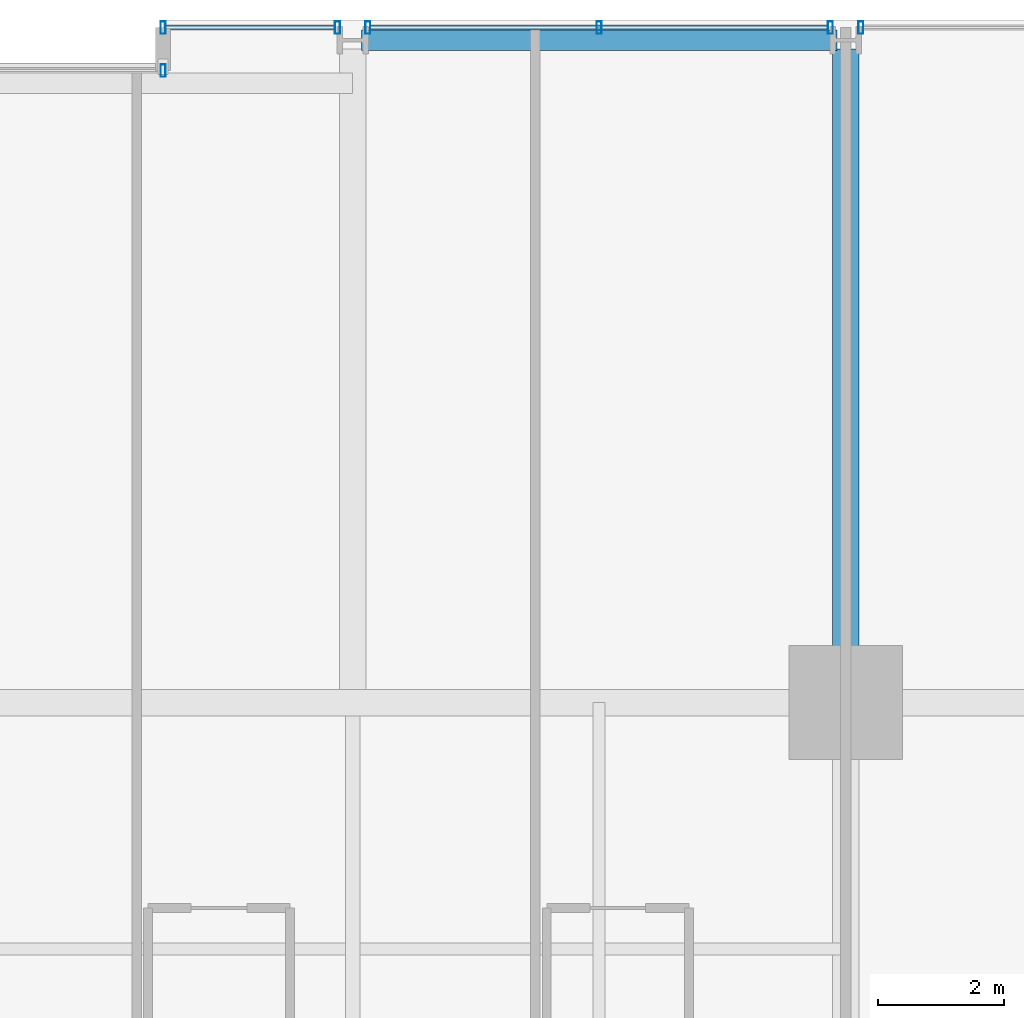
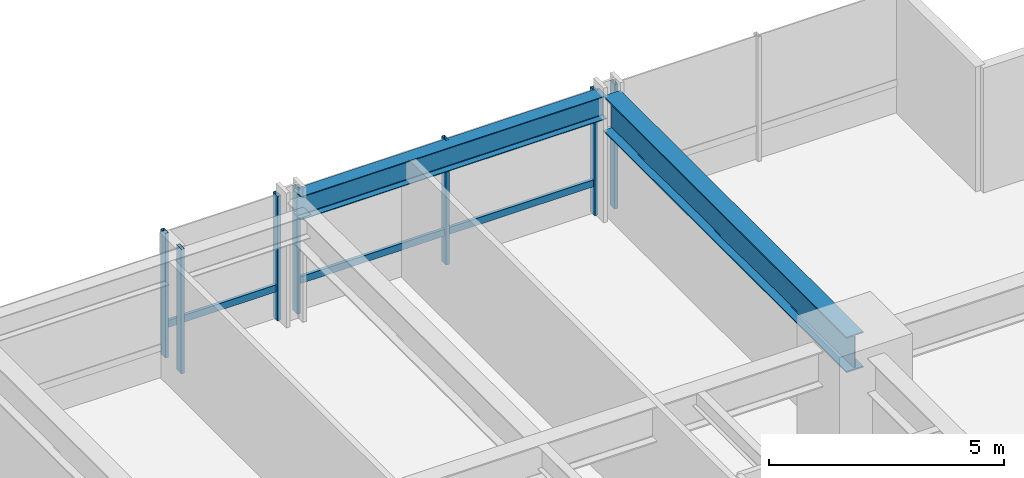
# One storey, part 27 of 39: 9 members, 2 beams, 4 elements without a shape of their own.
"""IFC4 building model written with IfcOpenShell, lengths in metres."""

from ifc_helpers import new_model, si_unit, direction, frame, origin, origin_2d, place, context, subcontext, project, spatial, hollow_rectangle, i_section, extrude, material, layer, layer_set, material_profile, profile_set, type_object, element, aggregate, save


model = new_model("IFC4")

# Units and contexts
model_context = context("Model", 3, precision=1e-05, world=origin(), true_north=direction((0.0, 1.0)))
body_context = subcontext(model_context, "Body", "Model", "MODEL_VIEW")
ifc_project = project(units=[si_unit("LENGTHUNIT", "METRE"), si_unit("AREAUNIT", "SQUARE_METRE"), si_unit("VOLUMEUNIT", "CUBIC_METRE"), si_unit("PLANEANGLEUNIT", "RADIAN"), si_unit("MASSUNIT", "GRAM", prefix="KILO")], contexts=[model_context])

# Site, building, storey
site_placement = place(None, origin())
site = spatial("IfcSite", under=ifc_project, at=site_placement, CompositionType="ELEMENT")
building_placement = place(site_placement, origin())
building = spatial("IfcBuilding", under=site, at=building_placement, Name="Drelvath Grand Hotel", CompositionType="ELEMENT")
storey_placement = place(building_placement, frame((0.0, 0.0, 36.699951171875)))
storey = spatial("IfcBuildingStorey", under=building, at=storey_placement, Name="L07", CompositionType="ELEMENT", Elevation=36.699951171875)

# Curtain wall, member
ifc_material_1 = material(Name="Warm Bronze Anodised Aluminium Frame", Category="aluminium")
ifc_layer = layer(ifc_material_1, 0.199951171875)
ifc_layer_set = layer_set([ifc_layer], Name="Warm Bronze Anodised Aluminium Frame")
curtain_wall_type = type_object("IfcCurtainWallType", Name="Stick Curtain Wall CW-02 Warm Bronze Low-Rise", PredefinedType="NOTDEFINED", material=ifc_layer_set)
curtain_wall_1_placement = place(storey_placement, origin())
curtain_wall_1 = element("IfcCurtainWall", 1, at=curtain_wall_1_placement, inside=storey, type_object=curtain_wall_type, Name="L07 CW-02 Curtain Wall CW02-L07-NE1", PredefinedType="NOTDEFINED")
ifc_material_profile_1 = material_profile(ifc_material_1, hollow_rectangle(XDim=0.074951171875, YDim=0.179931640625, WallThickness=0.0048828125, at=origin_2d()), Name="HSS180X75X5")
ifc_profile_set_1 = profile_set([ifc_material_profile_1], Name="Warm Bronze Anodised Aluminium Frame")
member_type_1 = type_object("IfcMemberType", Name="Curtain Wall Horizontal Transom CW-02 HSS180X75X5", PredefinedType="USERDEFINED", material=ifc_profile_set_1)
member_1_placement = place(storey_placement, frame((5.43994140625, 53.8798828125, 0.81005859375), z_axis=(1.0, 0.0, 0.0), x_axis=(0.0, 1.0, 0.0)))
member_1 = element("IfcMember", 2, at=member_1_placement, type_object=member_type_1, Name="CW02-L07-NE1 Sill Transom", ObjectType="TRANSOM", PredefinedType="USERDEFINED", context=body_context, shape_type="SweptSolid", body=[
    extrude(hollow_rectangle(XDim=0.074951171875, YDim=0.179931640625, WallThickness=0.0048828125, at=origin_2d()), origin(), (0.0, 0.0, 1.0), 2.67919921875),
])

curtain_wall_2_placement = place(storey_placement, origin())
curtain_wall_2 = element("IfcCurtainWall", 3, at=curtain_wall_2_placement, inside=storey, type_object=curtain_wall_type, Name="L07 CW-02 Curtain Wall CW02-L07-NE2", PredefinedType="NOTDEFINED")
member_2_placement = place(storey_placement, frame((8.680908203125, 53.8798828125, 0.81005859375), z_axis=(1.0, 0.0, 0.0), x_axis=(0.0, 1.0, 0.0)))
member_2 = element("IfcMember", 4, at=member_2_placement, type_object=member_type_1, Name="CW02-L07-NE2 Sill Transom", ObjectType="TRANSOM", PredefinedType="USERDEFINED", context=body_context, shape_type="SweptSolid", body=[
    extrude(hollow_rectangle(XDim=0.074951171875, YDim=0.179931640625, WallThickness=0.0048828125, at=origin_2d()), origin(), (0.0, 0.0, 1.0), 7.23828125),
])

curtain_wall_3_placement = place(storey_placement, origin())
curtain_wall_3 = element("IfcCurtainWall", 5, at=curtain_wall_3_placement, inside=storey, type_object=curtain_wall_type, Name="L07 CW-02 Curtain Wall CW02-L07-NM2", PredefinedType="NOTDEFINED")
ifc_material_profile_2 = material_profile(ifc_material_1, hollow_rectangle(XDim=0.080078125, YDim=0.199951171875, WallThickness=0.0048828125, at=origin_2d()), Name="HSS200X80X5")
ifc_profile_set_2 = profile_set([ifc_material_profile_2], Name="Warm Bronze Anodised Aluminium Frame")
member_type_2 = type_object("IfcMemberType", Name="Curtain Wall Vertical Mullion CW-02 HSS200X80X5", PredefinedType="MULLION", material=ifc_profile_set_2)
member_3_placement = place(storey_placement, frame((5.39990234375, 53.199951171875, 0.0), z_axis=(0.0, 0.0, 1.0), x_axis=(1.0, 0.0, 0.0)))
member_3 = element("IfcMember", 6, at=member_3_placement, type_object=member_type_2, Name="CW02-L07-NM2 Mullion 2", PredefinedType="MULLION", context=body_context, shape_type="SweptSolid", body=[
    extrude(hollow_rectangle(XDim=0.080078125, YDim=0.199951171875, WallThickness=0.0048828125, at=origin_2d()), origin(), (0.0, 0.0, 1.0), 3.239990234375),
])
aggregate(curtain_wall_3, [member_3])

# Member
member_4_placement = place(storey_placement, frame((5.39990234375, 53.8798828125, 0.0), z_axis=(0.0, 0.0, 1.0), x_axis=(1.0, 0.0, 0.0)))
member_4 = element("IfcMember", 7, at=member_4_placement, type_object=member_type_2, Name="CW02-L07-NE1 Mullion 1", PredefinedType="MULLION", context=body_context, shape_type="SweptSolid", body=[
    extrude(hollow_rectangle(XDim=0.080078125, YDim=0.199951171875, WallThickness=0.0048828125, at=origin_2d()), origin(), (0.0, 0.0, 1.0), 3.239990234375),
])

member_5_placement = place(storey_placement, frame((8.1591796875, 53.8798828125, 0.0), z_axis=(0.0, 0.0, 1.0), x_axis=(1.0, 0.0, 0.0)))
member_5 = element("IfcMember", 8, at=member_5_placement, type_object=member_type_2, Name="CW02-L07-NE1 Mullion 2", PredefinedType="MULLION", context=body_context, shape_type="SweptSolid", body=[
    extrude(hollow_rectangle(XDim=0.080078125, YDim=0.199951171875, WallThickness=0.0048828125, at=origin_2d()), origin(), (0.0, 0.0, 1.0), 3.239990234375),
])

aggregate(curtain_wall_1, [member_4, member_5, member_1])

member_6_placement = place(storey_placement, frame((8.640869140625, 53.8798828125, 0.0), z_axis=(0.0, 0.0, 1.0), x_axis=(1.0, 0.0, 0.0)))
member_6 = element("IfcMember", 9, at=member_6_placement, type_object=member_type_2, Name="CW02-L07-NE2 Mullion 1", PredefinedType="MULLION", context=body_context, shape_type="SweptSolid", body=[
    extrude(hollow_rectangle(XDim=0.080078125, YDim=0.199951171875, WallThickness=0.0048828125, at=origin_2d()), origin(), (0.0, 0.0, 1.0), 3.239990234375),
])

member_7_placement = place(storey_placement, frame((12.300048828125, 53.8798828125, 0.0), z_axis=(0.0, 0.0, 1.0), x_axis=(1.0, 0.0, 0.0)))
member_7 = element("IfcMember", 10, at=member_7_placement, type_object=member_type_2, Name="CW02-L07-NE2 Mullion 2", PredefinedType="MULLION", context=body_context, shape_type="SweptSolid", body=[
    extrude(hollow_rectangle(XDim=0.080078125, YDim=0.199951171875, WallThickness=0.0048828125, at=origin_2d()), origin(), (0.0, 0.0, 1.0), 3.239990234375),
])

member_8_placement = place(storey_placement, frame((15.958984375, 53.8798828125, 0.0), z_axis=(0.0, 0.0, 1.0), x_axis=(1.0, 0.0, 0.0)))
member_8 = element("IfcMember", 11, at=member_8_placement, type_object=member_type_2, Name="CW02-L07-NE2 Mullion 3", PredefinedType="MULLION", context=body_context, shape_type="SweptSolid", body=[
    extrude(hollow_rectangle(XDim=0.080078125, YDim=0.199951171875, WallThickness=0.0048828125, at=origin_2d()), origin(), (0.0, 0.0, 1.0), 3.239990234375),
])

aggregate(curtain_wall_2, [member_6, member_7, member_8, member_2])

# Curtain wall, member
curtain_wall_4_placement = place(storey_placement, origin())
curtain_wall_4 = element("IfcCurtainWall", 12, at=curtain_wall_4_placement, inside=storey, type_object=curtain_wall_type, Name="L07 CW-02 Curtain Wall CW02-L07-NE3", PredefinedType="NOTDEFINED")
member_9_placement = place(storey_placement, frame((16.44091796875, 53.8798828125, 0.0), z_axis=(0.0, 0.0, 1.0), x_axis=(1.0, 0.0, 0.0)))
member_9 = element("IfcMember", 13, at=member_9_placement, type_object=member_type_2, Name="CW02-L07-NE3 Mullion 1", PredefinedType="MULLION", context=body_context, shape_type="SweptSolid", body=[
    extrude(hollow_rectangle(XDim=0.080078125, YDim=0.199951171875, WallThickness=0.0048828125, at=origin_2d()), origin(), (0.0, 0.0, 1.0), 3.239990234375),
])
aggregate(curtain_wall_4, [member_9])

# Beams
ifc_material_2 = material(Name="Steel ASTM A992 Gr 50", Category="steel")
ifc_material_profile_3 = material_profile(ifc_material_2, i_section(OverallWidth=0.323974609375, OverallDepth=0.611083984375, WebThickness=0.0126953125, FlangeThickness=0.01904296875, FilletRadius=0.02197265625, at=origin_2d()), Name="W24X104")
ifc_profile_set_3 = profile_set([ifc_material_profile_3], Name="Steel ASTM A992 Gr 50")
beam_type_1 = type_object("IfcBeamType", Name="Perimeter Spandrel Beam W24X104", PredefinedType="SPANDREL", material=ifc_profile_set_3)
beam_1_placement = place(storey_placement, frame((8.5400390625, 53.679931640625, 2.9345703125), z_axis=(1.0, 0.0, 0.0), x_axis=(0.0, 1.0, 0.0)))
element("IfcBeam", 14, at=beam_1_placement, inside=storey, type_object=beam_type_1, Name="L07 Spandrel North E", PredefinedType="SPANDREL", context=body_context, shape_type="SweptSolid", body=[
    extrude(i_section(OverallWidth=0.323974609375, OverallDepth=0.611083984375, WebThickness=0.0126953125, FlangeThickness=0.01904296875, FilletRadius=0.02197265625, at=origin_2d()), origin(), (0.0, 0.0, 1.0), 7.52001953125),
])
ifc_material_profile_4 = material_profile(ifc_material_2, i_section(OverallWidth=0.418212890625, OverallDepth=0.926513671875, WebThickness=0.019287109375, FlangeThickness=0.031982421875, FilletRadius=0.028076171875, at=origin_2d()), Name="W36X231")
ifc_profile_set_4 = profile_set([ifc_material_profile_4], Name="Steel ASTM A992 Gr 50")
beam_type_2 = type_object("IfcBeamType", Name="Primary Floor Girder W36X231", PredefinedType="BEAM", material=ifc_profile_set_4)
beam_2_placement = place(storey_placement, frame((16.199951171875, 43.199951171875, 2.77685546875), z_axis=(0.0, 1.0, 0.0), x_axis=(-1.0, 0.0, 0.0)))
element("IfcBeam", 15, at=beam_2_placement, inside=storey, type_object=beam_type_2, Name="L07 North Grid Girder 7", PredefinedType="BEAM", context=body_context, shape_type="SweptSolid", body=[
    extrude(i_section(OverallWidth=0.418212890625, OverallDepth=0.926513671875, WebThickness=0.019287109375, FlangeThickness=0.031982421875, FilletRadius=0.028076171875, at=origin_2d()), origin(), (0.0, 0.0, 1.0), 10.340087890625),
])

save(model, "model.ifc")
